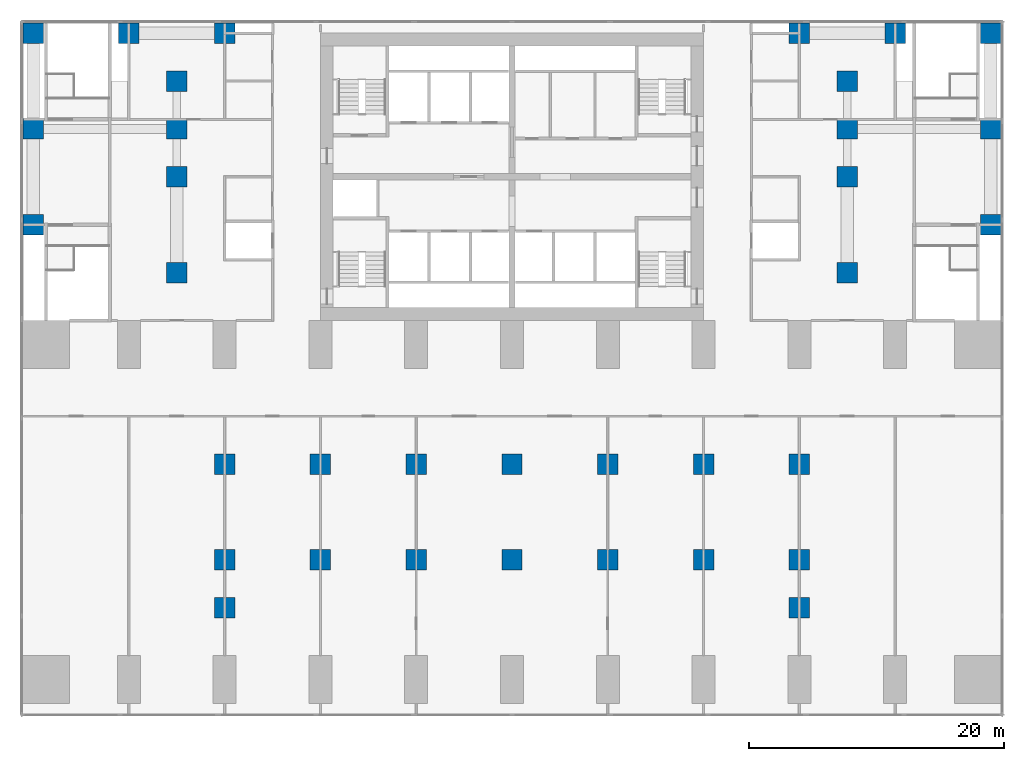
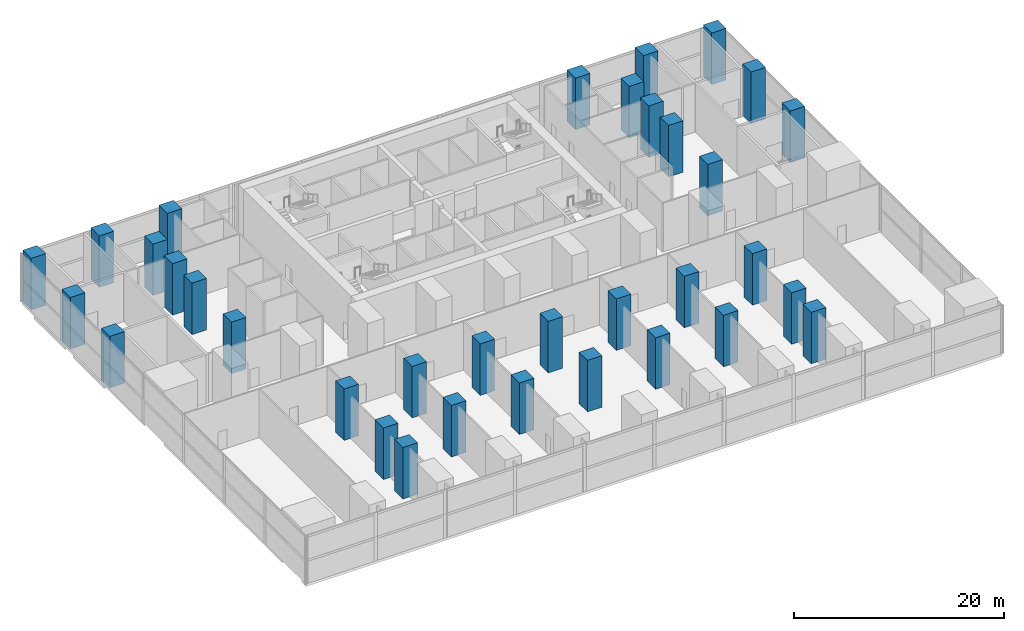
# One storey, part 1 of 14: 34 columns.
"""IFC4 building model written with IfcOpenShell, lengths in metres."""

from ifc_helpers import new_model, si_unit, direction, frame, origin, origin_2d, place, context, subcontext, project, spatial, rectangle, extrude, material, material_profile, profile_set, type_object, element, save


model = new_model("IFC4")

# Units and contexts
model_context = context("Model", 3, precision=1e-05, world=origin(), true_north=direction((0.0, 1.0)))
body_context = subcontext(model_context, "Body", "Model", "MODEL_VIEW")
ifc_project = project(units=[si_unit("LENGTHUNIT", "METRE"), si_unit("AREAUNIT", "SQUARE_METRE"), si_unit("VOLUMEUNIT", "CUBIC_METRE"), si_unit("PLANEANGLEUNIT", "RADIAN"), si_unit("MASSUNIT", "GRAM", prefix="KILO")], contexts=[model_context])

# Site, building, storey
site_placement = place(None, origin())
site = spatial("IfcSite", under=ifc_project, at=site_placement, CompositionType="ELEMENT")
building_placement = place(site_placement, origin())
building = spatial("IfcBuilding", under=site, at=building_placement, Name="Pilkhan Gate Tower", CompositionType="ELEMENT")
storey_placement = place(building_placement, frame((0.0, 0.0, 24.0)))
storey = spatial("IfcBuildingStorey", under=building, at=storey_placement, Name="L03", CompositionType="ELEMENT", Elevation=24.0)

# Columns
ifc_material = material(Name="Concrete C70/85", Category="concrete")
ifc_material_profile = material_profile(ifc_material, rectangle(XDim=1.60009765625, YDim=1.60009765625, at=origin_2d()), Name="RC 1600x1600")
ifc_profile_set = profile_set([ifc_material_profile], Name="Concrete C70/85")
column_type = type_object("IfcColumnType", Name="Column C160 RC 1600x1600 C70/85", PredefinedType="COLUMN", material=ifc_profile_set)
for number, where, z_axis, x_axis, name in (
    (1, (37.5, 78.75, 0.0), (0.0, 0.0, 1.0), (1.0, 0.0, 0.0), "Column 1/L L03"),
    (2, (37.5, 86.25, 0.0), (0.0, 0.0, 1.0), (1.0, 0.0, 0.0), "Column 1/N L03"),
    (3, (37.5, 93.75, 0.0), (0.0, 0.0, 1.0), (1.0, 0.0, 0.0), "Column 1/Q L03"),
    (4, (45.0, 93.75, 0.0), (0.0, 0.0, 1.0), (1.0, 0.0, 0.0), "Column 3/Q L03"),
    (5, (48.75, 75.0, 0.0), (0.0, 0.0, 1.0), (1.0, 0.0, 0.0), "Column 4/K L03"),
    (6, (48.75, 82.5, 0.0), (0.0, 0.0, 1.0), (1.0, 0.0, 0.0), "Column 4/M L03"),
    (7, (48.75, 86.25, 0.0), (0.0, 0.0, 1.0), (1.0, 0.0, 0.0), "Column 4/N L03"),
    (8, (48.75, 90.0, 0.0), (0.0, 0.0, 1.0), (1.0, 0.0, 0.0), "Column 4/P L03"),
    (9, (52.5, 93.75, 0.0), (0.0, 0.0, 1.0), (1.0, 0.0, 0.0), "Column 5/Q L03"),
    (10, (97.5, 93.75, 0.0), (0.0, 0.0, 1.0), (1.0, 0.0, 0.0), "Column 17/Q L03"),
    (11, (101.25, 75.0, 0.0), (0.0, 0.0, 1.0), (1.0, 0.0, 0.0), "Column 18/K L03"),
    (12, (101.25, 82.5, 0.0), (0.0, 0.0, 1.0), (1.0, 0.0, 0.0), "Column 18/M L03"),
    (13, (101.25, 86.25, 0.0), (0.0, 0.0, 1.0), (1.0, 0.0, 0.0), "Column 18/N L03"),
    (14, (101.25, 90.0, 0.0), (0.0, 0.0, 1.0), (1.0, 0.0, 0.0), "Column 18/P L03"),
    (15, (105.0, 93.75, 0.0), (0.0, 0.0, 1.0), (1.0, 0.0, 0.0), "Column 19/Q L03"),
    (16, (112.5, 78.75, 0.0), (0.0, 0.0, 1.0), (1.0, 0.0, 0.0), "Column 21/L L03"),
    (17, (112.5, 86.25, 0.0), (0.0, 0.0, 1.0), (1.0, 0.0, 0.0), "Column 21/N L03"),
    (18, (112.5, 93.75, 0.0), (0.0, 0.0, 1.0), (1.0, 0.0, 0.0), "Column 21/Q L03"),
    (19, (52.5, 48.75, 0.0), (0.0, 0.0, 1.0), (1.0, 0.0, 0.0), "Column 5/C L03"),
    (20, (52.5, 52.5, 0.0), (0.0, 0.0, 1.0), (1.0, 0.0, 0.0), "Column 5/D L03"),
    (21, (52.5, 60.0, 0.0), (0.0, 0.0, 1.0), (1.0, 0.0, 0.0), "Column 5/F L03"),
    (22, (60.0, 52.5, 0.0), (0.0, 0.0, 1.0), (1.0, 0.0, 0.0), "Column 7/D L03"),
    (23, (60.0, 60.0, 0.0), (0.0, 0.0, 1.0), (1.0, 0.0, 0.0), "Column 7/F L03"),
    (24, (67.5, 52.5, 0.0), (0.0, 0.0, 1.0), (1.0, 0.0, 0.0), "Column 9/D L03"),
    (25, (67.5, 60.0, 0.0), (0.0, 0.0, 1.0), (1.0, 0.0, 0.0), "Column 9/F L03"),
    (26, (75.0, 52.5, 0.0), (0.0, 0.0, 1.0), (1.0, 0.0, 0.0), "Column 11/D L03"),
    (27, (75.0, 60.0, 0.0), (0.0, 0.0, 1.0), (1.0, 0.0, 0.0), "Column 11/F L03"),
    (28, (82.5, 52.5, 0.0), (0.0, 0.0, 1.0), (1.0, 0.0, 0.0), "Column 13/D L03"),
    (29, (82.5, 60.0, 0.0), (0.0, 0.0, 1.0), (1.0, 0.0, 0.0), "Column 13/F L03"),
    (30, (90.0, 52.5, 0.0), (0.0, 0.0, 1.0), (1.0, 0.0, 0.0), "Column 15/D L03"),
    (31, (90.0, 60.0, 0.0), (0.0, 0.0, 1.0), (1.0, 0.0, 0.0), "Column 15/F L03"),
    (32, (97.5, 48.75, 0.0), (0.0, 0.0, 1.0), (1.0, 0.0, 0.0), "Column 17/C L03"),
    (33, (97.5, 52.5, 0.0), (0.0, 0.0, 1.0), (1.0, 0.0, 0.0), "Column 17/D L03"),
    (34, (97.5, 60.0, 0.0), (0.0, 0.0, 1.0), (1.0, 0.0, 0.0), "Column 17/F L03"),
):
    element("IfcColumn", number, at=place(storey_placement, frame(where, z_axis=z_axis, x_axis=x_axis)), inside=storey, type_object=column_type, Name=name, PredefinedType="COLUMN", context=body_context, shape_type="SweptSolid", body=[
        extrude(rectangle(XDim=1.60009765625, YDim=1.60009765625, at=origin_2d()), origin(), (0.0, 0.0, 1.0), 6.0),
    ])

save(model, "model.ifc")
